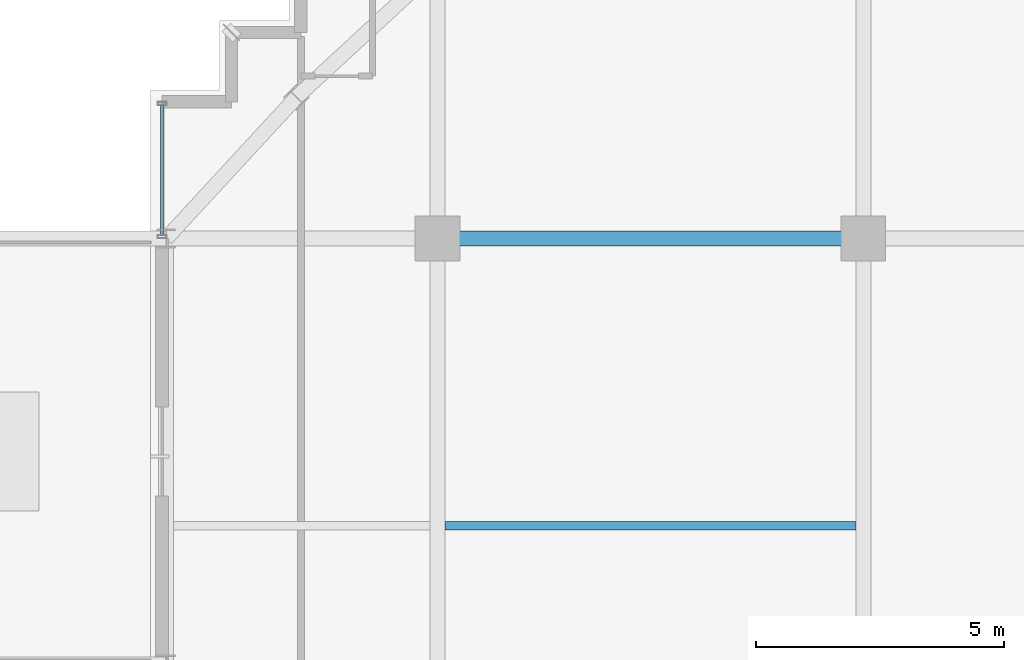
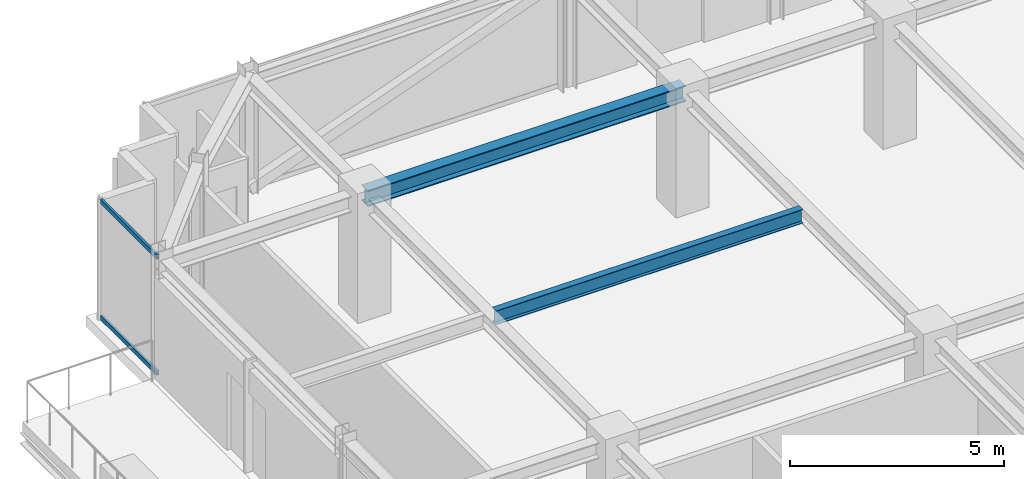
# One storey, part 18 of 36: 2 beams, 2 members, 1 element without a shape of its own.
"""IFC4 building model written with IfcOpenShell, lengths in metres."""

from ifc_helpers import new_model, si_unit, direction, frame, origin, origin_2d, place, context, subcontext, project, spatial, hollow_rectangle, i_section, extrude, source, transform, mapped, material, material_profile, profile_set, type_object, element, aggregate, save


model = new_model("IFC4")

# Units and contexts
model_context = context("Model", 3, precision=1e-05, world=origin(), true_north=direction((0.0, 1.0)))
body_context = subcontext(model_context, "Body", "Model", "MODEL_VIEW")
ifc_project = project(units=[si_unit("LENGTHUNIT", "METRE"), si_unit("AREAUNIT", "SQUARE_METRE"), si_unit("VOLUMEUNIT", "CUBIC_METRE"), si_unit("PLANEANGLEUNIT", "RADIAN"), si_unit("MASSUNIT", "GRAM", prefix="KILO")], contexts=[model_context])

# Site, building, storey
site_placement = place(None, origin())
site = spatial("IfcSite", under=ifc_project, at=site_placement, CompositionType="ELEMENT")
building_placement = place(site_placement, origin())
building = spatial("IfcBuilding", under=site, at=building_placement, Name="Nahalor Promenade Grand Hotel", CompositionType="ELEMENT")
storey_placement = place(building_placement, frame((0.0, 0.0, 273.800048828125)))
storey = spatial("IfcBuildingStorey", under=building, at=storey_placement, Name="L70", CompositionType="ELEMENT", Elevation=273.800048828125)

# Beams
ifc_material_1 = material(Name="Steel S355JR", Category="steel")
ifc_material_profile_1 = material_profile(ifc_material_1, i_section(OverallWidth=0.3, OverallDepth=0.45, WebThickness=0.014, FlangeThickness=0.026, at=origin_2d()), Name="HEB 450")
ifc_profile_set_1 = profile_set([ifc_material_profile_1], Name="Steel S355JR")
beam_type_1 = type_object("IfcBeamType", Name="Beam-Girder-HEB450", PredefinedType="BEAM", material=ifc_profile_set_1)
shared_shape_1 = source(origin(), body_context, "Body", "SweptSolid", [
    extrude(i_section(OverallWidth=0.3, OverallDepth=0.45, WebThickness=0.014, FlangeThickness=0.026, at=origin_2d()), origin(), (0.0, 0.0, 1.0), 8.60009765625),
])
beam_1_placement = place(storey_placement, frame((-17.0, 17.0, 3.224853515625), z_axis=(1.0, 0.0, 0.0), x_axis=(0.0, 1.0, 0.0)))
element("IfcBeam", 1, at=beam_1_placement, inside=storey, type_object=beam_type_1, Name="BM-L70-GX-3-1", PredefinedType="BEAM", context=body_context, shape_type="MappedRepresentation", body=[
    mapped(shared_shape_1, transform((0.0, 0.0, 0.0), scale=1.0)),
])
ifc_material_profile_2 = material_profile(ifc_material_1, i_section(OverallWidth=0.18, OverallDepth=0.4, WebThickness=0.0086, FlangeThickness=0.0135, at=origin_2d()), Name="IPE 400")
ifc_profile_set_2 = profile_set([ifc_material_profile_2], Name="Steel S355JR")
beam_type_2 = type_object("IfcBeamType", Name="Beam-Joist-IPE400", PredefinedType="JOIST", material=ifc_profile_set_2)
shared_shape_2 = source(origin(), body_context, "Body", "SweptSolid", [
    extrude(i_section(OverallWidth=0.18, OverallDepth=0.4, WebThickness=0.0086, FlangeThickness=0.0135, at=origin_2d()), origin(), (0.0, 0.0, 1.0), 8.300048828125),
])
beam_2_placement = place(storey_placement, frame((-16.85009765625, 11.199951171875, 3.25), z_axis=(1.0, 0.0, 0.0), x_axis=(0.0, 1.0, 0.0)))
element("IfcBeam", 2, at=beam_2_placement, inside=storey, type_object=beam_type_2, Name="BM-L70-JSW-1-1", PredefinedType="JOIST", context=body_context, shape_type="MappedRepresentation", body=[
    mapped(shared_shape_2, transform((0.0, 0.0, 0.0), scale=1.0)),
])

# Curtain wall, members
ifc_material_2 = material(Name="Anodised Bronze Aluminium EN AW-6063 T6", Category="aluminium")
curtain_wall_type = type_object("IfcCurtainWallType", Name="CW2 Typical Hotel Flush Bronze Unitised Curtain Wall", PredefinedType="USERDEFINED", material=ifc_material_2)
curtain_wall_placement = place(storey_placement, origin())
curtain_wall = element("IfcCurtainWall", 3, at=curtain_wall_placement, inside=storey, type_object=curtain_wall_type, Name="L70 Curtain Wall CW-L70-W-3", ObjectType="UNITISED_CURTAIN_WALL", PredefinedType="USERDEFINED")
ifc_material_profile_3 = material_profile(ifc_material_2, hollow_rectangle(XDim=0.065, YDim=0.13, WallThickness=0.004, at=origin_2d()), Name="CWT 65x130x4")
ifc_profile_set_3 = profile_set([ifc_material_profile_3], Name="Anodised Bronze Aluminium EN AW-6063 T6")
member_type = type_object("IfcMemberType", Name="CWT2 Typical Bronze Transom 65x130", PredefinedType="USERDEFINED", material=ifc_profile_set_3)
shared_shape_3 = source(origin(), body_context, "Body", "SweptSolid", [
    extrude(hollow_rectangle(XDim=0.065, YDim=0.13, WallThickness=0.004, at=origin_2d()), origin(), (0.0, 0.0, 1.0), 2.630126953125),
])
member_1_placement = place(storey_placement, frame((-22.56005859375, 17.06494140625, 0.06494140625), z_axis=(0.0, 1.0, 0.0), x_axis=(-1.0, 0.0, 0.0)))
member_1 = element("IfcMember", 4, at=member_1_placement, type_object=member_type, Name="CW-L70-W-3 Transom 0-0", ObjectType="TRANSOM", PredefinedType="USERDEFINED", context=body_context, shape_type="MappedRepresentation", body=[
    mapped(shared_shape_3, transform((0.0, 0.0, 0.0), scale=1.0)),
])
member_2_placement = place(storey_placement, frame((-22.56005859375, 17.06494140625, 3.385009765625), z_axis=(0.0, 1.0, 0.0), x_axis=(-1.0, 0.0, 0.0)))
member_2 = element("IfcMember", 5, at=member_2_placement, type_object=member_type, Name="CW-L70-W-3 Transom 0-1", ObjectType="TRANSOM", PredefinedType="USERDEFINED", context=body_context, shape_type="MappedRepresentation", body=[
    mapped(shared_shape_3, transform((0.0, 0.0, 0.0), scale=1.0)),
])
aggregate(curtain_wall, [member_1, member_2])

save(model, "model.ifc")
